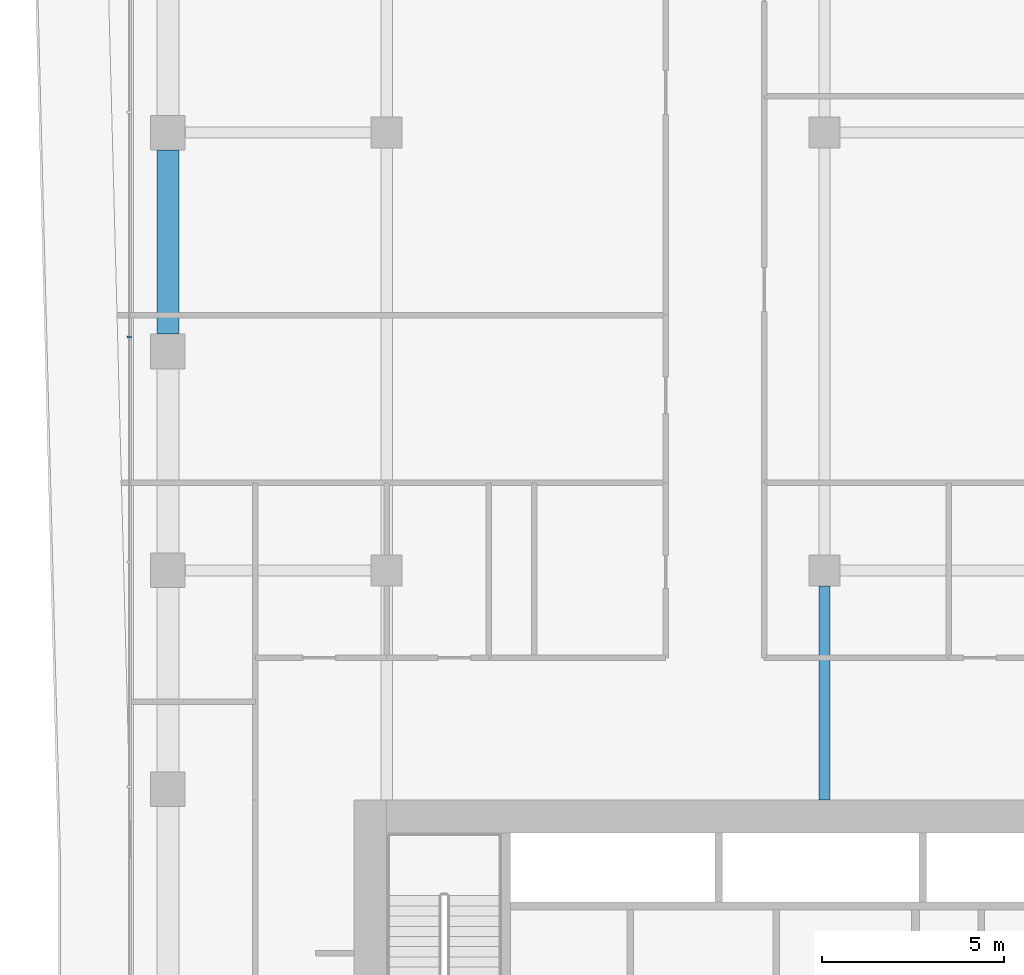
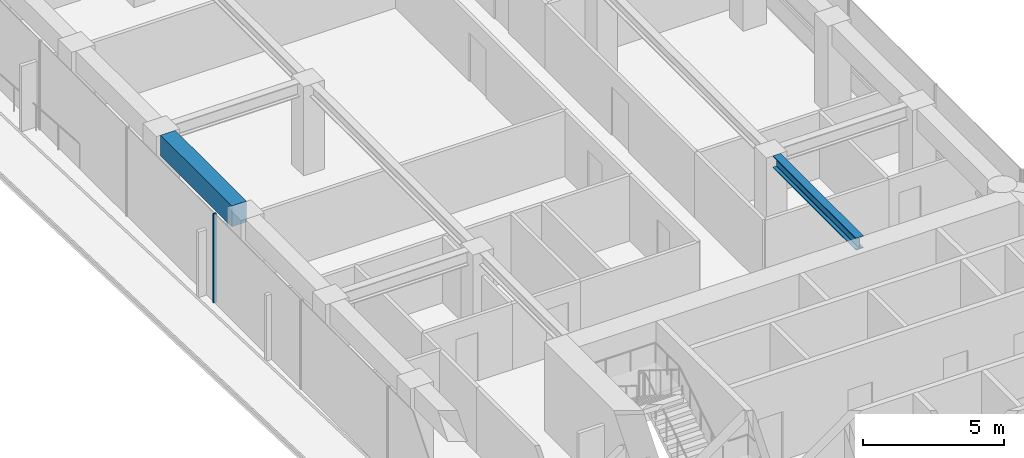
# One storey, part 15 of 29: 2 beams, 1 member, 1 element without a shape of its own.
"""IFC4 building model written with IfcOpenShell, lengths in metres."""

from ifc_helpers import new_model, si_unit, direction, frame, origin, origin_2d, place, context, subcontext, project, spatial, rectangle, i_section, extrude, material, layer, layer_set, material_profile, profile_set, type_object, element, aggregate, save


model = new_model("IFC4")

# Units and contexts
model_context = context("Model", 3, precision=1e-05, world=origin(), true_north=direction((0.0, 1.0)))
body_context = subcontext(model_context, "Body", "Model", "MODEL_VIEW")
ifc_project = project(units=[si_unit("LENGTHUNIT", "METRE"), si_unit("AREAUNIT", "SQUARE_METRE"), si_unit("VOLUMEUNIT", "CUBIC_METRE"), si_unit("PLANEANGLEUNIT", "RADIAN"), si_unit("MASSUNIT", "GRAM", prefix="KILO")], contexts=[model_context])

# Site, building, storey
site_placement = place(None, origin())
site = spatial("IfcSite", under=ifc_project, at=site_placement, CompositionType="ELEMENT")
building_placement = place(site_placement, origin())
building = spatial("IfcBuilding", under=site, at=building_placement, Name="Welwitschia Terrace Campus", CompositionType="ELEMENT")
storey_placement = place(building_placement, frame((0.0, 0.0, 58.39990234375)))
storey = spatial("IfcBuildingStorey", under=building, at=storey_placement, Name="L13", CompositionType="ELEMENT", Elevation=58.39990234375)

# Beam
ifc_material_1 = material(Name="Steel S355", Category="steel")
ifc_material_profile_1 = material_profile(ifc_material_1, i_section(OverallWidth=0.305908203125, OverallDepth=0.52392578125, WebThickness=0.02099609375, FlangeThickness=0.0400390625, FilletRadius=0.027099609375, at=origin_2d()))
ifc_profile_set_1 = profile_set([ifc_material_profile_1], Name="Steel S355")
beam_type_1 = type_object("IfcBeamType", Name="Interior girder HE 500 M", PredefinedType="BEAM", material=ifc_profile_set_1)
beam_1_placement = place(storey_placement, frame((18.0, 25.700927734375, 3.588134765625), z_axis=(0.0, 1.0, 0.0), x_axis=(-1.0, 0.0, 0.0)))
element("IfcBeam", 1, at=beam_1_placement, inside=storey, type_object=beam_type_1, Name="Girder GB2", PredefinedType="BEAM", context=body_context, shape_type="SweptSolid", body=[
    extrude(i_section(OverallWidth=0.305908203125, OverallDepth=0.52392578125, WebThickness=0.02099609375, FlangeThickness=0.0400390625, FilletRadius=0.027099609375, at=origin_2d()), origin(), (0.0, 0.0, 1.0), 5.87353515625),
])

# Curtain wall, member
ifc_material_2 = material(Name="Bronze anodised aluminium", Category="aluminium")
ifc_layer = layer(ifc_material_2, 0.1201171875)
ifc_layer_set = layer_set([ifc_layer], Name="Bronze anodised aluminium")
curtain_wall_type = type_object("IfcCurtainWallType", Name="Curtain wall CW2 tower 6000", PredefinedType="NOTDEFINED", material=ifc_layer_set)
curtain_wall_placement = place(storey_placement, origin())
curtain_wall = element("IfcCurtainWall", 2, at=curtain_wall_placement, inside=storey, type_object=curtain_wall_type, Name="CW L13.12.0", PredefinedType="NOTDEFINED")
ifc_material_3 = material(Name="Bronze anodised aluminium", Category="aluminium")
ifc_material_profile_2 = material_profile(ifc_material_3, rectangle(XDim=0.1201171875, YDim=0.06005859375, at=origin_2d()))
ifc_profile_set_2 = profile_set([ifc_material_profile_2], Name="Bronze anodised aluminium")
member_type = type_object("IfcMemberType", Name="Mullion 60x120", PredefinedType="MULLION", material=ifc_profile_set_2)
member_placement = place(storey_placement, frame((-1.05810546875, 38.3955078125, 0.0), z_axis=(0.0, 0.0, 1.0), x_axis=(1.0, 0.0, 0.0)))
member = element("IfcMember", 3, at=member_placement, type_object=member_type, Name="Mullion L13.12.0.4", PredefinedType="MULLION", context=body_context, shape_type="SweptSolid", body=[
    extrude(rectangle(XDim=0.1201171875, YDim=0.06005859375, at=origin_2d()), origin(), (0.0, 0.0, 1.0), 3.85009765625),
])
aggregate(curtain_wall, [member])

# Beam
ifc_material_4 = material(Name="Concrete C60/75", Category="concrete")
ifc_material_profile_3 = material_profile(ifc_material_4, rectangle(XDim=0.60009765625, YDim=0.89990234375, at=origin_2d()))
ifc_profile_set_3 = profile_set([ifc_material_profile_3], Name="Concrete C60/75")
beam_type_2 = type_object("IfcBeamType", Name="Ring spandrel 600x900", PredefinedType="SPANDREL", material=ifc_profile_set_3)
beam_2_placement = place(storey_placement, frame((0.0, 43.5244140625, 3.400146484375), z_axis=(0.0, -1.0, 0.0), x_axis=(1.0, 0.0, 0.0)))
element("IfcBeam", 4, at=beam_2_placement, inside=storey, type_object=beam_type_2, Name="Spandrel SP2", PredefinedType="SPANDREL", context=body_context, shape_type="SweptSolid", body=[
    extrude(rectangle(XDim=0.60009765625, YDim=0.89990234375, at=origin_2d()), origin(), (0.0, 0.0, 1.0), 5.048828125),
])

save(model, "model.ifc")
